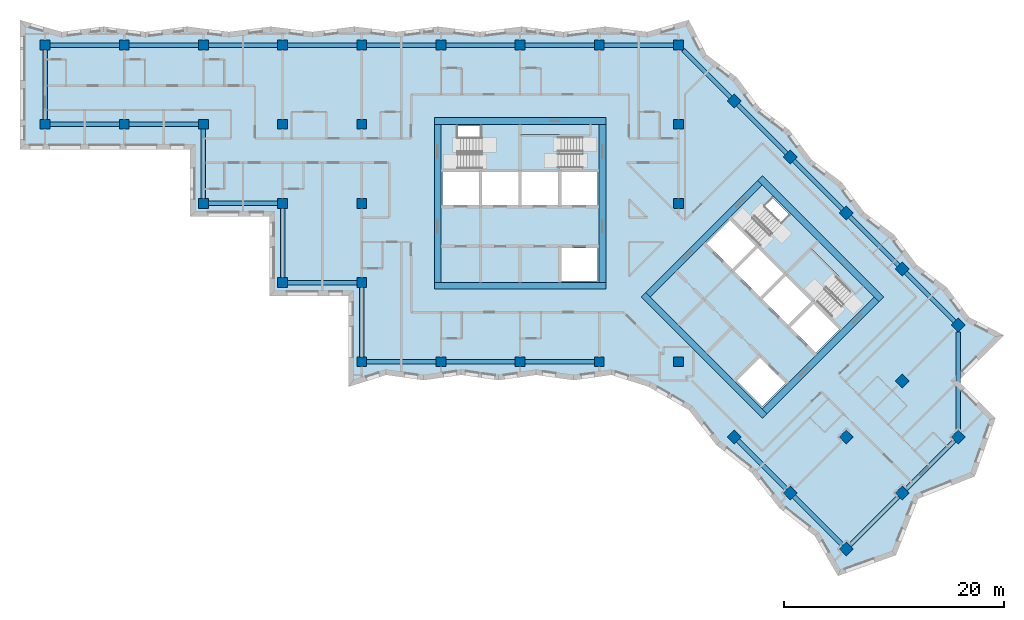
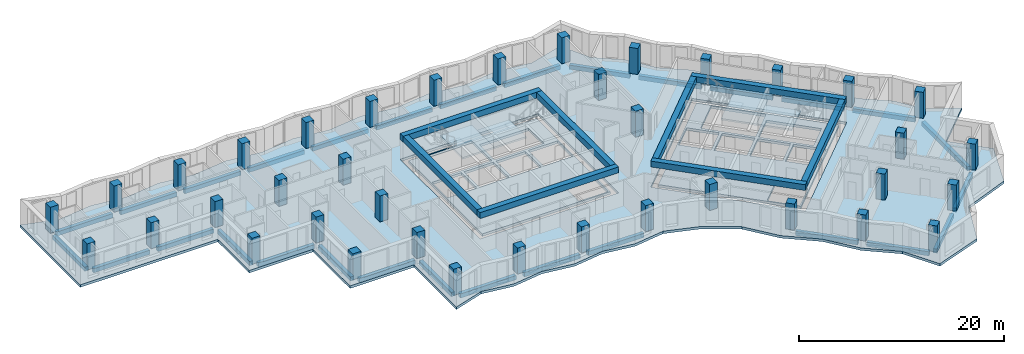
# One storey, part 1 of 12: 38 columns, 37 beams, 7 slabs, 16 openings, 4 elements without a shape of their own.
"""IFC4 building model written with IfcOpenShell, lengths in metres."""

import ifcopenshell
import ifcopenshell.guid

model = None  # the IFC model being written
_history = None  # IfcOwnerHistory: only IFC2X3 demands one
_inside = {}  # id of a spatial element -> (the spatial element, [elements in it])
_under = {}  # id of a project, library or spatial element -> (it, [spatial elements below it])
_declared = {}  # id of a project -> (the project, [libraries it declares])
_typed = {}  # id of a type object -> (the type object, [elements of that type])
_made_of = {}  # id of a material, layer set ... -> (it, [elements and type objects made of it])


def new_model(schema):
    """Start an empty IFC model of exactly this schema.

    Asked for "IFC4X3", IfcOpenShell would pick the latest addendum, in which some entities
    have other attributes; the version numbers below select the first issue.
    IFC2X3 requires an IfcOwnerHistory on every rooted entity: one is made here for all.
    """
    global model, _history
    if schema == "IFC4X3":
        model = ifcopenshell.file(schema_version=(4, 3, 0, 0))
    else:
        model = ifcopenshell.file(schema=schema)
    _inside.clear()
    _under.clear()
    _declared.clear()
    _typed.clear()
    _made_of.clear()
    _history = None
    if model.schema == "IFC2X3":
        org = make("IfcOrganization", Name="unknown")
        user = make(
            "IfcPersonAndOrganization",
            ThePerson=make("IfcPerson", FamilyName="unknown"),
            TheOrganization=org,
        )
        app = make(
            "IfcApplication",
            ApplicationDeveloper=org,
            Version="unknown",
            ApplicationFullName="unknown",
            ApplicationIdentifier="unknown",
        )
        _history = make(
            "IfcOwnerHistory",
            OwningUser=user,
            OwningApplication=app,
            ChangeAction="ADDED",
            CreationDate=0,
        )
    return model


def make(cls, **values):
    """One entity of the class cls with the attributes given. An attribute that is None is left unset."""
    return model.create_entity(
        cls, **{name: value for name, value in values.items() if value is not None}
    )


def rooted(cls, **values):
    """An entity with a GlobalId (a new one), such as an element, a storey or a relation."""
    return make(cls, GlobalId=ifcopenshell.guid.new(), OwnerHistory=_history, **values)


def si_unit(unit_type, name, prefix=None):
    """IfcSIUnit, for example si_unit("LENGTHUNIT", "METRE", prefix="MILLI")."""
    return make("IfcSIUnit", UnitType=unit_type, Prefix=prefix, Name=name)


def assignment(units):
    """IfcUnitAssignment: the units of a project."""
    return None if units is None else make("IfcUnitAssignment", Units=units)


def point(xyz):
    """IfcCartesianPoint."""
    return None if xyz is None else make("IfcCartesianPoint", Coordinates=xyz)


def direction(xyz):
    """IfcDirection."""
    return None if xyz is None else make("IfcDirection", DirectionRatios=xyz)


def frame(location, z_axis=None, x_axis=None):
    """IfcAxis2Placement3D, a coordinate frame: its origin and axes. An axis left out is left unset."""
    return make(
        "IfcAxis2Placement3D",
        Location=point(location),
        Axis=direction(z_axis),
        RefDirection=direction(x_axis),
    )


def frame_2d(location, x_axis=None):
    """IfcAxis2Placement2D, a coordinate frame in the plane: its origin and x axis."""
    return make(
        "IfcAxis2Placement2D", Location=point(location), RefDirection=direction(x_axis)
    )


def origin():
    """The frame at (0, 0, 0) with its axes left unset."""
    return frame((0.0, 0.0, 0.0))


def origin_2d():
    """The frame at (0, 0) in the plane with its x axis left unset."""
    return frame_2d((0.0, 0.0))


def place(relative_to, where):
    """IfcLocalPlacement: puts the frame where relative to a parent placement (None: the world)."""
    return make(
        "IfcLocalPlacement", PlacementRelTo=relative_to, RelativePlacement=where
    )


def context(
    kind, dimensions, precision=None, world=None, true_north=None, identifier=None
):
    """IfcGeometricRepresentationContext, for example the 3D "Model" context."""
    return make(
        "IfcGeometricRepresentationContext",
        ContextIdentifier=identifier,
        ContextType=kind,
        CoordinateSpaceDimension=dimensions,
        Precision=precision,
        WorldCoordinateSystem=world,
        TrueNorth=true_north,
    )


def subcontext(parent, identifier, kind, view, scale=None):
    """IfcGeometricRepresentationSubContext, for example "Body" below "Model"."""
    return make(
        "IfcGeometricRepresentationSubContext",
        ContextIdentifier=identifier,
        ContextType=kind,
        ParentContext=parent,
        TargetScale=scale,
        TargetView=view,
    )


def project(units=None, contexts=None):
    """IfcProject with its units and contexts."""
    return rooted(
        "IfcProject",
        Name="project",
        RepresentationContexts=contexts,
        UnitsInContext=assignment(units),
    )


def spatial(cls, under=None, at=None, **own):
    """A site, building, storey or space (cls), placed at a placement, below another one or the project."""
    s = rooted(cls, ObjectPlacement=at, **own)
    if under is not None:
        _under.setdefault(under.id(), (under, []))[1].append(s)
    return s


def polyline(points):
    """IfcPolyline through the points."""
    return make("IfcPolyline", Points=[point(p) for p in points])


def profile(cls, at=None, kind="AREA", **sizes):
    """A parametric profile (cls). Its sizes go by their IFC names, for example OverallWidth=200.0."""
    return make(cls, ProfileType=kind, Position=at, **sizes)


def rectangle(**sizes):
    """IfcRectangleProfileDef."""
    return profile("IfcRectangleProfileDef", **sizes)


def outline(outer, holes=None, kind="AREA"):
    """IfcArbitraryClosedProfileDef: a profile drawn as a closed curve; with holes, ...WithVoids."""
    if holes is None:
        return make("IfcArbitraryClosedProfileDef", ProfileType=kind, OuterCurve=outer)
    return make(
        "IfcArbitraryProfileDefWithVoids",
        ProfileType=kind,
        OuterCurve=outer,
        InnerCurves=holes,
    )


def extrude(swept, where, along, depth):
    """IfcExtrudedAreaSolid: the profile swept, set in the frame where, extruded along a direction by depth."""
    return make(
        "IfcExtrudedAreaSolid",
        SweptArea=swept,
        Position=where,
        ExtrudedDirection=direction(along),
        Depth=depth,
    )


def shape(context_of_items, identifier, shape_type, items):
    """IfcShapeRepresentation: the items that make up one representation, for example the "Body"."""
    return make(
        "IfcShapeRepresentation",
        ContextOfItems=context_of_items,
        RepresentationIdentifier=identifier,
        RepresentationType=shape_type,
        Items=items,
    )


def material(Name=None, Category=None):
    """IfcMaterial."""
    return make("IfcMaterial", Name=Name, Category=Category)


def layer(
    of_material, thickness, ventilated=None, Name=None, Category=None, Priority=None
):
    """IfcMaterialLayer: one layer of a wall or slab, of a material (None: an air gap)."""
    return make(
        "IfcMaterialLayer",
        Material=of_material,
        LayerThickness=thickness,
        IsVentilated=ventilated,
        Name=Name,
        Category=Category,
        Priority=Priority,
    )


def layer_set(layers, Name=None):
    """IfcMaterialLayerSet."""
    return make("IfcMaterialLayerSet", MaterialLayers=layers, LayerSetName=Name)


def material_profile(
    of_material, cross_section, Name=None, Category=None, Priority=None
):
    """IfcMaterialProfile: a cross section and its material."""
    return make(
        "IfcMaterialProfile",
        Name=Name,
        Material=of_material,
        Profile=cross_section,
        Priority=Priority,
        Category=Category,
    )


def profile_set(profiles, Name=None, composite=None):
    """IfcMaterialProfileSet."""
    return make(
        "IfcMaterialProfileSet",
        Name=Name,
        MaterialProfiles=profiles,
        CompositeProfile=composite,
    )


def made_of(thing, what):
    """Note that an element or type object is made of a material, layer set ...; save() writes the relation."""
    if what is not None:
        _made_of.setdefault(what.id(), (what, []))[1].append(thing)
    return thing


def type_object(cls, material=None, **own):
    """A type object (cls), such as IfcWallType, which elements share."""
    return made_of(rooted(cls, **own), material)


def element(
    cls,
    number,
    at=None,
    inside=None,
    cuts=None,
    type_object=None,
    material=None,
    context=None,
    identifier="Body",
    shape_type=None,
    held_by="IfcProductDefinitionShape",
    body=None,
    shapes=None,
    **own,
):
    """One element of the class cls, such as IfcWall. Its Tag is "e" and its number.

    at: its placement. inside: the storey or other place that contains it. cuts: it is an
    opening in that element (IfcRelVoidsElement). A single representation is given by context,
    identifier, shape_type and body (its items); several are given by shapes. held_by: the class
    of the entity that holds the representations. save() writes the other relations.
    """
    e = rooted(cls, Tag="e%d" % number, ObjectPlacement=at, **own)
    if body is not None:
        shapes = [shape(context, identifier, shape_type, body)]
    if shapes is not None:
        e.Representation = make(held_by, Representations=shapes)
    if inside is not None:
        _inside.setdefault(inside.id(), (inside, []))[1].append(e)
    if cuts is not None:
        rooted(
            "IfcRelVoidsElement", RelatingBuildingElement=cuts, RelatedOpeningElement=e
        )
    if type_object is not None:
        _typed.setdefault(type_object.id(), (type_object, []))[1].append(e)
    return made_of(e, material)


def aggregate(whole, parts):
    """IfcRelAggregates: a whole, such as a stair, and the parts it consists of."""
    return rooted("IfcRelAggregates", RelatingObject=whole, RelatedObjects=parts)


def save(model, path):
    """Write the relations noted so far, then the file.

    IfcRelAggregates (storeys below a building ...), IfcRelContainedInSpatialStructure (elements
    in a storey), IfcRelDefinesByType, IfcRelAssociatesMaterial and IfcRelDeclares: one each for
    every whole, place, type object, material and project.
    """
    for whole, parts in _under.values():
        aggregate(whole, parts)
    for where, things in _inside.values():
        rooted(
            "IfcRelContainedInSpatialStructure",
            RelatedElements=things,
            RelatingStructure=where,
        )
    for kind, things in _typed.values():
        rooted("IfcRelDefinesByType", RelatedObjects=things, RelatingType=kind)
    for what, things in _made_of.values():
        rooted("IfcRelAssociatesMaterial", RelatedObjects=things, RelatingMaterial=what)
    for by, libraries in _declared.values():
        rooted("IfcRelDeclares", RelatingContext=by, RelatedDefinitions=libraries)
    model.write(path)


model = new_model("IFC4")

# Units and contexts
model_context = context("Model", 3, precision=1e-05, world=origin(), true_north=direction((0.0, 1.0)))
body_context = subcontext(model_context, "Body", "Model", "MODEL_VIEW")
ifc_project = project(units=[si_unit("LENGTHUNIT", "METRE"), si_unit("AREAUNIT", "SQUARE_METRE"), si_unit("VOLUMEUNIT", "CUBIC_METRE"), si_unit("PLANEANGLEUNIT", "RADIAN"), si_unit("MASSUNIT", "GRAM", prefix="KILO")], contexts=[model_context])

# Site, building, storey
site_placement = place(None, origin())
site = spatial("IfcSite", under=ifc_project, at=site_placement, CompositionType="ELEMENT")
building_placement = place(site_placement, origin())
building = spatial("IfcBuilding", under=site, at=building_placement, Name="Windrow Commons", CompositionType="ELEMENT")
storey_placement = place(building_placement, frame((0.0, 0.0, 155.8)))
storey = spatial("IfcBuildingStorey", under=building, at=storey_placement, Name="L42", CompositionType="ELEMENT", Elevation=155.8)

# Columns
ifc_material_1 = material(Name="Concrete C50/60", Category="concrete")
ifc_material_profile_1 = material_profile(ifc_material_1, rectangle(XDim=0.9, YDim=0.9, at=origin_2d()))
ifc_profile_set_1 = profile_set([ifc_material_profile_1], Name="Concrete C50/60")
column_type = type_object("IfcColumnType", Name="RC COLUMN 900x900 C50/60", PredefinedType="COLUMN", material=ifc_profile_set_1)
for number, where, z_axis, x_axis, name in (
    (1, (21.6, 64.8, 0.0), (0.0, 0.0, 1.0), (1.0, 0.0, 0.0), "C-Z3-04I"),
    (2, (21.6, 72.0, 0.0), (0.0, 0.0, 1.0), (1.0, 0.0, 0.0), "C-Z3-04J"),
    (3, (28.8, 64.8, 0.0), (0.0, 0.0, 1.0), (1.0, 0.0, 0.0), "C-Z3-05I"),
    (4, (28.8, 72.0, 0.0), (0.0, 0.0, 1.0), (1.0, 0.0, 0.0), "C-Z3-05J"),
    (5, (36.0, 57.6, 0.0), (0.0, 0.0, 1.0), (1.0, 0.0, 0.0), "C-Z3-06H"),
    (6, (36.0, 64.8, 0.0), (0.0, 0.0, 1.0), (1.0, 0.0, 0.0), "C-Z3-06I"),
    (7, (36.0, 72.0, 0.0), (0.0, 0.0, 1.0), (1.0, 0.0, 0.0), "C-Z3-06J"),
    (8, (43.2, 50.4, 0.0), (0.0, 0.0, 1.0), (1.0, 0.0, 0.0), "C-Z3-07G"),
    (9, (43.2, 57.6, 0.0), (0.0, 0.0, 1.0), (1.0, 0.0, 0.0), "C-Z3-07H"),
    (10, (43.2, 64.8, 0.0), (0.0, 0.0, 1.0), (1.0, 0.0, 0.0), "C-Z3-07I"),
    (11, (43.2, 72.0, 0.0), (0.0, 0.0, 1.0), (1.0, 0.0, 0.0), "C-Z3-07J"),
    (12, (50.4, 43.2, 0.0), (0.0, 0.0, 1.0), (1.0, 0.0, 0.0), "C-Z3-08F"),
    (13, (50.4, 50.4, 0.0), (0.0, 0.0, 1.0), (1.0, 0.0, 0.0), "C-Z3-08G"),
    (14, (50.4, 57.6, 0.0), (0.0, 0.0, 1.0), (1.0, 0.0, 0.0), "C-Z3-08H"),
    (15, (50.4, 64.8, 0.0), (0.0, 0.0, 1.0), (1.0, 0.0, 0.0), "C-Z3-08I"),
    (16, (50.4, 72.0, 0.0), (0.0, 0.0, 1.0), (1.0, 0.0, 0.0), "C-Z3-08J"),
    (17, (57.6, 43.2, 0.0), (0.0, 0.0, 1.0), (1.0, 0.0, 0.0), "C-Z3-09F"),
    (18, (57.6, 72.0, 0.0), (0.0, 0.0, 1.0), (1.0, 0.0, 0.0), "C-Z3-09J"),
    (19, (64.8, 43.2, 0.0), (0.0, 0.0, 1.0), (1.0, 0.0, 0.0), "C-Z3-10F"),
    (20, (64.8, 72.0, 0.0), (0.0, 0.0, 1.0), (1.0, 0.0, 0.0), "C-Z3-10J"),
    (21, (72.0, 43.2, 0.0), (0.0, 0.0, 1.0), (1.0, 0.0, 0.0), "C-Z3-11F"),
    (22, (72.0, 72.0, 0.0), (0.0, 0.0, 1.0), (1.0, 0.0, 0.0), "C-Z3-11J"),
    (23, (79.2, 43.2, 0.0), (0.0, 0.0, 1.0), (1.0, 0.0, 0.0), "C-Z3-12F"),
    (24, (79.2, 57.6, 0.0), (0.0, 0.0, 1.0), (1.0, 0.0, 0.0), "C-Z3-12H"),
    (25, (79.2, 64.8, 0.0), (0.0, 0.0, 1.0), (1.0, 0.0, 0.0), "C-Z3-12I"),
    (26, (79.2, 72.0, 0.0), (0.0, 0.0, 1.0), (1.0, 0.0, 0.0), "C-Z3-12J"),
    (27, (84.2912, 66.9088, 0.0), (0.0, 0.0, 1.0), (0.7071067812, -0.7071067812, 0.0), "C-Z3-P2Q"),
    (28, (89.3823, 61.8177, 0.0), (0.0, 0.0, 1.0), (0.7071067812, -0.7071067812, 0.0), "C-Z3-P3Q"),
    (29, (94.4735, 56.7265, 0.0), (0.0, 0.0, 1.0), (0.7071067812, -0.7071067812, 0.0), "C-Z3-P4Q"),
    (30, (99.5647, 51.6353, 0.0), (0.0, 0.0, 1.0), (0.7071067812, -0.7071067812, 0.0), "C-Z3-P5Q"),
    (31, (84.2912, 36.3618, 0.0), (0.0, 0.0, 1.0), (0.7071067812, -0.7071067812, 0.0), "C-Z3-P5T"),
    (32, (104.6558, 46.5442, 0.0), (0.0, 0.0, 1.0), (0.7071067812, -0.7071067812, 0.0), "C-Z3-P6Q"),
    (33, (99.5647, 41.453, 0.0), (0.0, 0.0, 1.0), (0.7071067812, -0.7071067812, 0.0), "C-Z3-P6R"),
    (34, (94.4735, 36.3618, 0.0), (0.0, 0.0, 1.0), (0.7071067812, -0.7071067812, 0.0), "C-Z3-P6S"),
    (35, (89.3823, 31.2706, 0.0), (0.0, 0.0, 1.0), (0.7071067812, -0.7071067812, 0.0), "C-Z3-P6T"),
    (36, (104.6558, 36.3618, 0.0), (0.0, 0.0, 1.0), (0.7071067812, -0.7071067812, 0.0), "C-Z3-P7R"),
    (37, (99.5647, 31.2706, 0.0), (0.0, 0.0, 1.0), (0.7071067812, -0.7071067812, 0.0), "C-Z3-P7S"),
    (38, (94.4735, 26.1795, 0.0), (0.0, 0.0, 1.0), (0.7071067812, -0.7071067812, 0.0), "C-Z3-P7T"),
):
    element("IfcColumn", number, at=place(storey_placement, frame(where, z_axis=z_axis, x_axis=x_axis)), inside=storey, type_object=column_type, Name=name, PredefinedType="COLUMN", context=body_context, shape_type="SweptSolid", body=[
        extrude(rectangle(XDim=0.9, YDim=0.9, at=origin_2d()), origin(), (0.0, 0.0, 1.0), 3.1),
    ])

# Beams
ifc_material_2 = material(Name="Concrete C50/60", Category="concrete")
ifc_material_profile_2 = material_profile(ifc_material_2, rectangle(XDim=0.6, YDim=0.7, at=origin_2d()))
ifc_profile_set_2 = profile_set([ifc_material_profile_2], Name="Concrete C50/60")
beam_type_1 = type_object("IfcBeamType", Name="RC COUPLING BEAM 600x700 C50/60", PredefinedType="LINTEL", material=ifc_profile_set_2)
for number, where, z_axis, x_axis, name in (
    (39, (57.0, 50.1, 2.75), (1.0, 0.0, 0.0), (0.0, 1.0, 0.0), "Core A coupling beam outer-S"),
    (40, (57.0, 65.1, 2.75), (1.0, 0.0, 0.0), (0.0, 1.0, 0.0), "Core A coupling beam outer-N"),
):
    element("IfcBeam", number, at=place(storey_placement, frame(where, z_axis=z_axis, x_axis=x_axis)), inside=storey, type_object=beam_type_1, Name=name, PredefinedType="LINTEL", context=body_context, shape_type="SweptSolid", body=[
        extrude(rectangle(XDim=0.6, YDim=0.7, at=origin_2d()), origin(), (0.0, 0.0, 1.0), 15.6),
    ])
for number, where, z_axis, x_axis, name in (
    (41, (57.3, 50.4, 2.75), (0.0, 1.0, 0.0), (-1.0, 0.0, 0.0), "Core A coupling beam outer-W"),
    (42, (72.3, 50.4, 2.75), (0.0, 1.0, 0.0), (-1.0, 0.0, 0.0), "Core A coupling beam outer-E"),
):
    element("IfcBeam", number, at=place(storey_placement, frame(where, z_axis=z_axis, x_axis=x_axis)), inside=storey, type_object=beam_type_1, Name=name, PredefinedType="LINTEL", context=body_context, shape_type="SweptSolid", body=[
        extrude(rectangle(XDim=0.6, YDim=0.7, at=origin_2d()), origin(), (0.0, 0.0, 1.0), 14.4),
    ])
for number, where, z_axis, x_axis, name in (
    (43, (76.018, 49.3019, 2.75), (0.7071067812, -0.7071067812, 0.0), (0.7071067812, 0.7071067812, 0.0), "Core B coupling beam outer-S"),
    (44, (86.6246, 59.9085, 2.75), (0.7071067812, -0.7071067812, 0.0), (0.7071067812, 0.7071067812, 0.0), "Core B coupling beam outer-N"),
):
    element("IfcBeam", number, at=place(storey_placement, frame(where, z_axis=z_axis, x_axis=x_axis)), inside=storey, type_object=beam_type_1, Name=name, PredefinedType="LINTEL", context=body_context, shape_type="SweptSolid", body=[
        extrude(rectangle(XDim=0.6, YDim=0.7, at=origin_2d()), origin(), (0.0, 0.0, 1.0), 15.6),
    ])
for number, where, z_axis, x_axis, name in (
    (45, (76.4423, 49.3019, 2.75), (0.7071067812, 0.7071067812, 0.0), (-0.7071067812, 0.7071067812, 0.0), "Core B coupling beam outer-W"),
    (46, (87.0489, 38.6953, 2.75), (0.7071067812, 0.7071067812, 0.0), (-0.7071067812, 0.7071067812, 0.0), "Core B coupling beam outer-E"),
):
    element("IfcBeam", number, at=place(storey_placement, frame(where, z_axis=z_axis, x_axis=x_axis)), inside=storey, type_object=beam_type_1, Name=name, PredefinedType="LINTEL", context=body_context, shape_type="SweptSolid", body=[
        extrude(rectangle(XDim=0.6, YDim=0.7, at=origin_2d()), origin(), (0.0, 0.0, 1.0), 14.3999),
    ])
ifc_material_3 = material(Name="Concrete C50/60", Category="concrete")
ifc_material_profile_3 = material_profile(ifc_material_3, rectangle(XDim=0.4, YDim=0.5, at=origin_2d()))
ifc_profile_set_3 = profile_set([ifc_material_profile_3], Name="Concrete C50/60")
beam_type_2 = type_object("IfcBeamType", Name="RC EDGE BEAM 400x500 C50/60", PredefinedType="SPANDREL", material=ifc_profile_set_3)
for number, where, z_axis, x_axis, name in (
    (47, (36.0, 58.05, -0.55), (0.0, 1.0, 0.0), (-1.0, 0.0, 0.0), "Edge beam L42 001"),
    (48, (35.55, 64.8, -0.55), (-1.0, 0.0, 0.0), (0.0, -1.0, 0.0), "Edge beam L42 002"),
    (49, (28.35, 64.8, -0.55), (-1.0, 0.0, 0.0), (0.0, -1.0, 0.0), "Edge beam L42 003"),
    (50, (21.6, 65.25, -0.55), (0.0, 1.0, 0.0), (-1.0, 0.0, 0.0), "Edge beam L42 004"),
    (51, (22.05, 72.0, -0.55), (1.0, 0.0, 0.0), (0.0, 1.0, 0.0), "Edge beam L42 005"),
    (52, (29.25, 72.0, -0.55), (1.0, 0.0, 0.0), (0.0, 1.0, 0.0), "Edge beam L42 006"),
    (53, (36.45, 72.0, -0.55), (1.0, 0.0, 0.0), (0.0, 1.0, 0.0), "Edge beam L42 007"),
    (54, (43.65, 72.0, -0.55), (1.0, 0.0, 0.0), (0.0, 1.0, 0.0), "Edge beam L42 008"),
    (55, (50.85, 72.0, -0.55), (1.0, 0.0, 0.0), (0.0, 1.0, 0.0), "Edge beam L42 009"),
    (56, (58.05, 72.0, -0.55), (1.0, 0.0, 0.0), (0.0, 1.0, 0.0), "Edge beam L42 010"),
    (57, (65.25, 72.0, -0.55), (1.0, 0.0, 0.0), (0.0, 1.0, 0.0), "Edge beam L42 011"),
    (58, (72.45, 72.0, -0.55), (1.0, 0.0, 0.0), (0.0, 1.0, 0.0), "Edge beam L42 012"),
):
    element("IfcBeam", number, at=place(storey_placement, frame(where, z_axis=z_axis, x_axis=x_axis)), inside=storey, type_object=beam_type_2, Name=name, PredefinedType="SPANDREL", context=body_context, shape_type="SweptSolid", body=[
        extrude(rectangle(XDim=0.4, YDim=0.5, at=origin_2d()), origin(), (0.0, 0.0, 1.0), 6.3),
    ])
beam_1_placement = place(storey_placement, frame((79.65, 71.55, -0.55), z_axis=(0.7071067812, -0.7071067812, 0.0), x_axis=(0.7071067812, 0.7071067812, 0.0)))
element("IfcBeam", 59, at=beam_1_placement, inside=storey, type_object=beam_type_2, Name="Edge beam L42 013", PredefinedType="SPANDREL", context=body_context, shape_type="SweptSolid", body=[
    extrude(rectangle(XDim=0.4, YDim=0.5, at=origin_2d()), origin(), (0.0, 0.0, 1.0), 6.1136),
])
beam_2_placement = place(storey_placement, frame((84.6094, 66.5906, -0.55), z_axis=(0.7071067812, -0.7071067812, 0.0), x_axis=(0.7071067812, 0.7071067812, 0.0)))
element("IfcBeam", 60, at=beam_2_placement, inside=storey, type_object=beam_type_2, Name="Edge beam L42 014", PredefinedType="SPANDREL", context=body_context, shape_type="SweptSolid", body=[
    extrude(rectangle(XDim=0.4, YDim=0.5, at=origin_2d()), origin(), (0.0, 0.0, 1.0), 6.2999),
])
for number, where, z_axis, x_axis, name in (
    (61, (89.7005, 61.4995, -0.55), (0.7071067812, -0.7071067812, 0.0), (0.7071067812, 0.7071067812, 0.0), "Edge beam L42 015"),
    (62, (94.7917, 56.4083, -0.55), (0.7071067812, -0.7071067812, 0.0), (0.7071067812, 0.7071067812, 0.0), "Edge beam L42 016"),
):
    element("IfcBeam", number, at=place(storey_placement, frame(where, z_axis=z_axis, x_axis=x_axis)), inside=storey, type_object=beam_type_2, Name=name, PredefinedType="SPANDREL", context=body_context, shape_type="SweptSolid", body=[
        extrude(rectangle(XDim=0.4, YDim=0.5, at=origin_2d()), origin(), (0.0, 0.0, 1.0), 6.3),
    ])
beam_3_placement = place(storey_placement, frame((99.8829, 51.3171, -0.55), z_axis=(0.7071067812, -0.7071067812, 0.0), x_axis=(0.7071067812, 0.7071067812, 0.0)))
element("IfcBeam", 63, at=beam_3_placement, inside=storey, type_object=beam_type_2, Name="Edge beam L42 017", PredefinedType="SPANDREL", context=body_context, shape_type="SweptSolid", body=[
    extrude(rectangle(XDim=0.4, YDim=0.5, at=origin_2d()), origin(), (0.0, 0.0, 1.0), 6.2999),
])
beam_4_placement = place(storey_placement, frame((104.6558, 45.9078, -0.55), z_axis=(0.0, -1.0, 0.0), x_axis=(1.0, 0.0, 0.0)))
element("IfcBeam", 64, at=beam_4_placement, inside=storey, type_object=beam_type_2, Name="Edge beam L42 018", PredefinedType="SPANDREL", context=body_context, shape_type="SweptSolid", body=[
    extrude(rectangle(XDim=0.4, YDim=0.5, at=origin_2d()), origin(), (0.0, 0.0, 1.0), 8.9096),
])
for number, where, z_axis, x_axis, name in (
    (65, (104.3376, 36.0436, -0.55), (-0.7070988446, -0.7071147177, 0.0), (0.7071147177, -0.7070988446, 0.0), "Edge beam L42 019"),
    (66, (99.2465, 30.9524, -0.55), (-0.7071147177, -0.7070988446, 0.0), (0.7070988446, -0.7071147177, 0.0), "Edge beam L42 020"),
    (67, (94.1553, 26.4977, -0.55), (-0.7071147177, 0.7070988446, 0.0), (-0.7070988446, -0.7071147177, 0.0), "Edge beam L42 021"),
    (68, (89.0641, 31.5888, -0.55), (-0.7070988446, 0.7071147177, 0.0), (-0.7071147177, -0.7070988446, 0.0), "Edge beam L42 022"),
    (69, (71.55, 43.2, -0.55), (-1.0, 0.0, 0.0), (0.0, -1.0, 0.0), "Edge beam L42 023"),
    (70, (64.35, 43.2, -0.55), (-1.0, 0.0, 0.0), (0.0, -1.0, 0.0), "Edge beam L42 024"),
    (71, (57.15, 43.2, -0.55), (-1.0, 0.0, 0.0), (0.0, -1.0, 0.0), "Edge beam L42 025"),
    (72, (50.4, 43.65, -0.55), (0.0, 1.0, 0.0), (-1.0, 0.0, 0.0), "Edge beam L42 026"),
    (73, (49.95, 50.4, -0.55), (-1.0, 0.0, 0.0), (0.0, -1.0, 0.0), "Edge beam L42 027"),
    (74, (43.2, 50.85, -0.55), (0.0, 1.0, 0.0), (-1.0, 0.0, 0.0), "Edge beam L42 028"),
    (75, (42.75, 57.6, -0.55), (-1.0, 0.0, 0.0), (0.0, -1.0, 0.0), "Edge beam L42 029"),
):
    element("IfcBeam", number, at=place(storey_placement, frame(where, z_axis=z_axis, x_axis=x_axis)), inside=storey, type_object=beam_type_2, Name=name, PredefinedType="SPANDREL", context=body_context, shape_type="SweptSolid", body=[
        extrude(rectangle(XDim=0.4, YDim=0.5, at=origin_2d()), origin(), (0.0, 0.0, 1.0), 6.3),
    ])

# Slab, openings
ifc_material_4 = material(Name="Concrete C50/60", Category="concrete")
ifc_layer_1 = layer(ifc_material_4, 0.3)
ifc_layer_set_1 = layer_set([ifc_layer_1], Name="CORE FLOOR SLAB 300 C50/60")
slab_type_1 = type_object("IfcSlabType", Name="CORE FLOOR SLAB 300 C50/60", PredefinedType="FLOOR", material=ifc_layer_set_1)
placement_1 = place(storey_placement, frame((0.0, 0.0, -0.3)))
slab_1 = element("IfcSlab", 76, at=placement_1, inside=storey, type_object=slab_type_1, Name="S-L42-core-A", PredefinedType="FLOOR", context=body_context, shape_type="SweptSolid", body=[
    extrude(outline(polyline([(57.6, 50.4), (72.0, 50.4), (72.0, 64.8), (57.6, 64.8), (57.6, 50.4)]), holes=[polyline([(68.55, 50.55), (71.85, 50.55), (71.85, 53.55), (68.55, 53.55), (68.55, 50.55)]), polyline([(57.75, 57.45), (61.05, 57.45), (61.05, 60.45), (57.75, 60.45), (57.75, 57.45)]), polyline([(61.35, 57.45), (64.65, 57.45), (64.65, 60.45), (61.35, 60.45), (61.35, 57.45)]), polyline([(64.95, 57.45), (68.25, 57.45), (68.25, 60.45), (64.95, 60.45), (64.95, 57.45)]), polyline([(68.55, 57.45), (71.85, 57.45), (71.85, 60.45), (68.55, 60.45), (68.55, 57.45)]), polyline([(59.1, 60.75), (64.65, 60.75), (64.65, 64.65), (59.1, 64.65), (59.1, 60.75)]), polyline([(64.95, 60.75), (70.5, 60.75), (70.5, 63.705), (64.95, 63.705), (64.95, 60.75)])]), origin(), (0.0, 0.0, 1.0), 0.3),
])
opening_1_placement = place(placement_1, origin())
element("IfcOpeningElement", 77, at=opening_1_placement, cuts=slab_1, Name="Slab opening S-L42-core-A 1", PredefinedType="OPENING", context=body_context, shape_type="SweptSolid", body=[
    extrude(outline(polyline([(68.555, 50.555), (68.555, 53.545), (71.845, 53.545), (71.845, 50.555), (68.555, 50.555)])), origin(), (0.0, 0.0, 1.0), 0.3),
])
opening_2_placement = place(placement_1, origin())
element("IfcOpeningElement", 78, at=opening_2_placement, cuts=slab_1, Name="Slab opening S-L42-core-A 2", PredefinedType="OPENING", context=body_context, shape_type="SweptSolid", body=[
    extrude(outline(polyline([(57.755, 57.455), (57.755, 60.445), (61.045, 60.445), (61.045, 57.455), (57.755, 57.455)])), origin(), (0.0, 0.0, 1.0), 0.3),
])
opening_3_placement = place(placement_1, origin())
element("IfcOpeningElement", 79, at=opening_3_placement, cuts=slab_1, Name="Slab opening S-L42-core-A 3", PredefinedType="OPENING", context=body_context, shape_type="SweptSolid", body=[
    extrude(outline(polyline([(61.355, 57.455), (61.355, 60.445), (64.645, 60.445), (64.645, 57.455), (61.355, 57.455)])), origin(), (0.0, 0.0, 1.0), 0.3),
])
opening_4_placement = place(placement_1, origin())
element("IfcOpeningElement", 80, at=opening_4_placement, cuts=slab_1, Name="Slab opening S-L42-core-A 4", PredefinedType="OPENING", context=body_context, shape_type="SweptSolid", body=[
    extrude(outline(polyline([(64.955, 57.455), (64.955, 60.445), (68.245, 60.445), (68.245, 57.455), (64.955, 57.455)])), origin(), (0.0, 0.0, 1.0), 0.3),
])
opening_5_placement = place(placement_1, origin())
element("IfcOpeningElement", 81, at=opening_5_placement, cuts=slab_1, Name="Slab opening S-L42-core-A 5", PredefinedType="OPENING", context=body_context, shape_type="SweptSolid", body=[
    extrude(outline(polyline([(68.555, 57.455), (68.555, 60.445), (71.845, 60.445), (71.845, 57.455), (68.555, 57.455)])), origin(), (0.0, 0.0, 1.0), 0.3),
])
opening_6_placement = place(placement_1, origin())
element("IfcOpeningElement", 82, at=opening_6_placement, cuts=slab_1, Name="Slab opening S-L42-core-A 6", PredefinedType="OPENING", context=body_context, shape_type="SweptSolid", body=[
    extrude(outline(polyline([(59.105, 60.755), (59.105, 64.645), (64.645, 64.645), (64.645, 60.755), (59.105, 60.755)])), origin(), (0.0, 0.0, 1.0), 0.3),
])
opening_7_placement = place(placement_1, origin())
element("IfcOpeningElement", 83, at=opening_7_placement, cuts=slab_1, Name="Slab opening S-L42-core-A 7", PredefinedType="OPENING", context=body_context, shape_type="SweptSolid", body=[
    extrude(outline(polyline([(64.955, 60.755), (64.955, 63.7), (70.495, 63.7), (70.495, 60.755), (64.955, 60.755)])), origin(), (0.0, 0.0, 1.0), 0.3),
])

slab_2 = element("IfcSlab", 84, at=placement_1, inside=storey, type_object=slab_type_1, Name="S-L42-core-B", PredefinedType="FLOOR", context=body_context, shape_type="SweptSolid", body=[
    extrude(outline(polyline([(76.6544, 49.0897), (86.8368, 38.9074), (97.0191, 49.0897), (86.8368, 59.2721), (76.6544, 49.0897)]), holes=[polyline([(84.5033, 41.453), (86.8368, 39.1195), (88.9581, 41.2409), (86.6246, 43.5743), (84.5033, 41.453)]), polyline([(81.7456, 53.9688), (84.079, 51.6353), (86.2004, 53.7566), (83.8669, 56.0901), (81.7456, 53.9688)]), polyline([(84.2912, 51.4232), (86.6246, 49.0897), (88.7459, 51.2111), (86.4125, 53.5445), (84.2912, 51.4232)]), polyline([(86.8368, 48.8776), (89.1702, 46.5442), (91.2915, 48.6655), (88.9581, 50.9989), (86.8368, 48.8776)]), polyline([(89.3823, 46.332), (91.7158, 43.9986), (93.8371, 46.1199), (91.5037, 48.4533), (89.3823, 46.332)]), polyline([(85.0336, 55.3476), (88.9581, 51.4232), (91.7158, 54.1809), (87.7913, 58.1054), (85.0336, 55.3476)]), polyline([(89.1702, 51.2111), (93.0946, 47.2866), (95.1841, 49.3761), (91.2597, 53.3006), (89.1702, 51.2111)])]), origin(), (0.0, 0.0, 1.0), 0.3),
])
opening_8_placement = place(placement_1, origin())
element("IfcOpeningElement", 85, at=opening_8_placement, cuts=slab_2, Name="Slab opening S-L42-core-B 1", PredefinedType="OPENING", context=body_context, shape_type="SweptSolid", body=[
    extrude(outline(polyline([(84.5104, 41.453), (86.6246, 43.5672), (88.951, 41.2409), (86.8368, 39.1266), (84.5104, 41.453)])), origin(), (0.0, 0.0, 1.0), 0.3),
])
opening_9_placement = place(placement_1, origin())
element("IfcOpeningElement", 86, at=opening_9_placement, cuts=slab_2, Name="Slab opening S-L42-core-B 2", PredefinedType="OPENING", context=body_context, shape_type="SweptSolid", body=[
    extrude(outline(polyline([(81.7527, 53.9688), (83.8669, 56.083), (86.1933, 53.7566), (84.079, 51.6424), (81.7527, 53.9688)])), origin(), (0.0, 0.0, 1.0), 0.3),
])
opening_10_placement = place(placement_1, origin())
element("IfcOpeningElement", 87, at=opening_10_placement, cuts=slab_2, Name="Slab opening S-L42-core-B 3", PredefinedType="OPENING", context=body_context, shape_type="SweptSolid", body=[
    extrude(outline(polyline([(84.2983, 51.4232), (86.4125, 53.5374), (88.7388, 51.2111), (86.6246, 49.0968), (84.2983, 51.4232)])), origin(), (0.0, 0.0, 1.0), 0.3),
])
opening_11_placement = place(placement_1, origin())
element("IfcOpeningElement", 88, at=opening_11_placement, cuts=slab_2, Name="Slab opening S-L42-core-B 4", PredefinedType="OPENING", context=body_context, shape_type="SweptSolid", body=[
    extrude(outline(polyline([(86.8439, 48.8776), (88.9581, 50.9918), (91.2844, 48.6655), (89.1702, 46.5513), (86.8439, 48.8776)])), origin(), (0.0, 0.0, 1.0), 0.3),
])
opening_12_placement = place(placement_1, origin())
element("IfcOpeningElement", 89, at=opening_12_placement, cuts=slab_2, Name="Slab opening S-L42-core-B 5", PredefinedType="OPENING", context=body_context, shape_type="SweptSolid", body=[
    extrude(outline(polyline([(89.3894, 46.332), (91.5037, 48.4462), (93.83, 46.1199), (91.7158, 44.0057), (89.3894, 46.332)])), origin(), (0.0, 0.0, 1.0), 0.3),
])
opening_13_placement = place(placement_1, origin())
element("IfcOpeningElement", 90, at=opening_13_placement, cuts=slab_2, Name="Slab opening S-L42-core-B 6", PredefinedType="OPENING", context=body_context, shape_type="SweptSolid", body=[
    extrude(outline(polyline([(85.0407, 55.3476), (87.7913, 58.0983), (91.7087, 54.1809), (88.9581, 51.4303), (85.0407, 55.3476)])), origin(), (0.0, 0.0, 1.0), 0.3),
])
opening_14_placement = place(placement_1, origin())
element("IfcOpeningElement", 91, at=opening_14_placement, cuts=slab_2, Name="Slab opening S-L42-core-B 7", PredefinedType="OPENING", context=body_context, shape_type="SweptSolid", body=[
    extrude(outline(polyline([(89.1773, 51.2111), (91.2597, 53.2935), (95.177, 49.3761), (93.0946, 47.2937), (89.1773, 51.2111)])), origin(), (0.0, 0.0, 1.0), 0.3),
])

# Stair, slab
ifc_material_5 = material(Name="Concrete C40/50", Category="concrete")
stair_type = type_object("IfcStairType", Name="Core stair", PredefinedType="HALF_TURN_STAIR", material=ifc_material_5)
placement_2 = place(storey_placement, origin())
stair_1 = element("IfcStair", 92, at=placement_2, inside=storey, type_object=stair_type, Name="L42 Exit stair A1 core A", PredefinedType="HALF_TURN_STAIR")
ifc_material_6 = material(Name="Concrete C40/50", Category="concrete")
ifc_layer_2 = layer(ifc_material_6, 0.2)
ifc_layer_set_2 = layer_set([ifc_layer_2], Name="Core stair landing")
slab_type_2 = type_object("IfcSlabType", Name="Core stair landing", PredefinedType="LANDING", material=ifc_layer_set_2)
placement_3 = place(storey_placement, frame((0.0, 0.0, 1.5)))
slab_3 = element("IfcSlab", 93, at=placement_3, type_object=slab_type_2, Name="ST-A1 landing 1", PredefinedType="LANDING", context=body_context, shape_type="SweptSolid", body=[
    extrude(outline(polyline([(61.22, 60.5), (64.8, 60.5), (64.8, 64.9), (61.22, 64.9), (61.22, 60.5)])), origin(), (0.0, 0.0, 1.0), 0.2),
])
aggregate(stair_1, [slab_3])

stair_2 = element("IfcStair", 94, at=placement_2, inside=storey, type_object=stair_type, Name="L42 Exit stair A2 core A", PredefinedType="HALF_TURN_STAIR")
slab_4 = element("IfcSlab", 95, at=placement_3, type_object=slab_type_2, Name="ST-A2 landing 1", PredefinedType="LANDING", context=body_context, shape_type="SweptSolid", body=[
    extrude(outline(polyline([(64.8, 60.5), (68.38, 60.5), (68.38, 63.855), (64.8, 63.855), (64.8, 60.5)])), origin(), (0.0, 0.0, 1.0), 0.2),
])
aggregate(stair_2, [slab_4])

stair_3 = element("IfcStair", 96, at=placement_2, inside=storey, type_object=stair_type, Name="L42 Exit stair B1 core B", PredefinedType="HALF_TURN_STAIR")
slab_5 = element("IfcSlab", 97, at=placement_3, type_object=slab_type_2, Name="ST-B1 landing 1", PredefinedType="LANDING", context=body_context, shape_type="SweptSolid", body=[
    extrude(outline(polyline([(86.3559, 53.6718), (88.8874, 51.1403), (91.9986, 54.2516), (89.4672, 56.7831), (86.3559, 53.6718)])), origin(), (0.0, 0.0, 1.0), 0.2),
])
aggregate(stair_3, [slab_5])

stair_4 = element("IfcStair", 98, at=placement_2, inside=storey, type_object=stair_type, Name="L42 Exit stair B2 core B", PredefinedType="HALF_TURN_STAIR")
slab_6 = element("IfcSlab", 99, at=placement_3, type_object=slab_type_2, Name="ST-B2 landing 1", PredefinedType="LANDING", context=body_context, shape_type="SweptSolid", body=[
    extrude(outline(polyline([(88.8874, 51.1403), (91.4188, 48.6089), (93.7911, 50.9812), (91.2597, 53.5127), (88.8874, 51.1403)])), origin(), (0.0, 0.0, 1.0), 0.2),
])
aggregate(stair_4, [slab_6])

# Slab, openings
ifc_material_7 = material(Name="Concrete C50/60", Category="concrete")
ifc_layer_3 = layer(ifc_material_7, 0.3)
ifc_layer_set_3 = layer_set([ifc_layer_3], Name="FLOOR SLAB 300 C50/60")
slab_type_3 = type_object("IfcSlabType", Name="FLOOR SLAB 300 C50/60", PredefinedType="FLOOR", material=ifc_layer_set_3)
slab_7 = element("IfcSlab", 100, at=placement_1, inside=storey, type_object=slab_type_3, Name="S-L42-floor", PredefinedType="FLOOR", context=body_context, shape_type="SweptSolid", body=[
    extrude(outline(polyline([(91.6067, 27.3492), (93.7084, 23.7173), (98.9909, 25.6057), (101.0206, 30.7467), (106.1617, 32.7764), (108.05, 38.0589), (104.6558, 41.453), (108.8151, 45.6122), (105.6609, 47.2362), (103.6125, 49.9662), (100.8826, 52.0145), (98.8342, 54.7445), (96.1043, 56.7928), (94.0559, 59.5228), (91.3259, 61.5712), (89.2776, 64.3011), (86.5476, 66.3495), (84.4993, 69.0794), (81.7693, 71.1278), (80.1453, 74.282), (76.3436, 73.2), (72.5419, 73.682), (68.7402, 73.2), (64.9385, 73.682), (61.1368, 73.2), (57.335, 73.682), (53.5333, 73.2), (49.7316, 73.682), (45.9299, 73.2), (42.1282, 73.682), (38.3265, 73.2), (34.5248, 73.682), (30.7231, 73.2), (26.9214, 73.682), (23.1197, 73.2), (19.318, 74.282), (19.318, 62.518), (34.8, 62.518), (34.8, 56.4), (42.0, 56.4), (42.0, 49.2), (49.2, 49.2), (49.2, 40.918), (52.6135, 42.0), (56.0269, 41.518), (59.4404, 42.0), (62.8539, 41.518), (66.2673, 42.0), (69.6808, 41.518), (73.0943, 42.0), (76.5077, 40.918), (80.1396, 38.8163), (82.6655, 35.6087), (85.8732, 33.0827), (88.3991, 29.8751), (91.6067, 27.3492)]), holes=[polyline([(75.8059, 49.0897), (86.8368, 60.1206), (97.8676, 49.0897), (86.8368, 38.0589), (75.8059, 49.0897)]), polyline([(57.0, 49.8), (57.0, 65.4), (72.6, 65.4), (72.6, 49.8), (57.0, 49.8)])]), origin(), (0.0, 0.0, 1.0), 0.3),
])
opening_15_placement = place(placement_1, origin())
element("IfcOpeningElement", 101, at=opening_15_placement, cuts=slab_7, Name="Slab opening S-L42-floor 1", PredefinedType="OPENING", context=body_context, shape_type="SweptSolid", body=[
    extrude(outline(polyline([(75.813, 49.0897), (86.8368, 60.1135), (97.8605, 49.0897), (86.8368, 38.066), (75.813, 49.0897)])), origin(), (0.0, 0.0, 1.0), 0.3),
])
opening_16_placement = place(placement_1, origin())
element("IfcOpeningElement", 102, at=opening_16_placement, cuts=slab_7, Name="Slab opening S-L42-floor 2", PredefinedType="OPENING", context=body_context, shape_type="SweptSolid", body=[
    extrude(outline(polyline([(57.005, 49.805), (57.005, 65.395), (72.595, 65.395), (72.595, 49.805), (57.005, 49.805)])), origin(), (0.0, 0.0, 1.0), 0.3),
])

save(model, "model.ifc")
